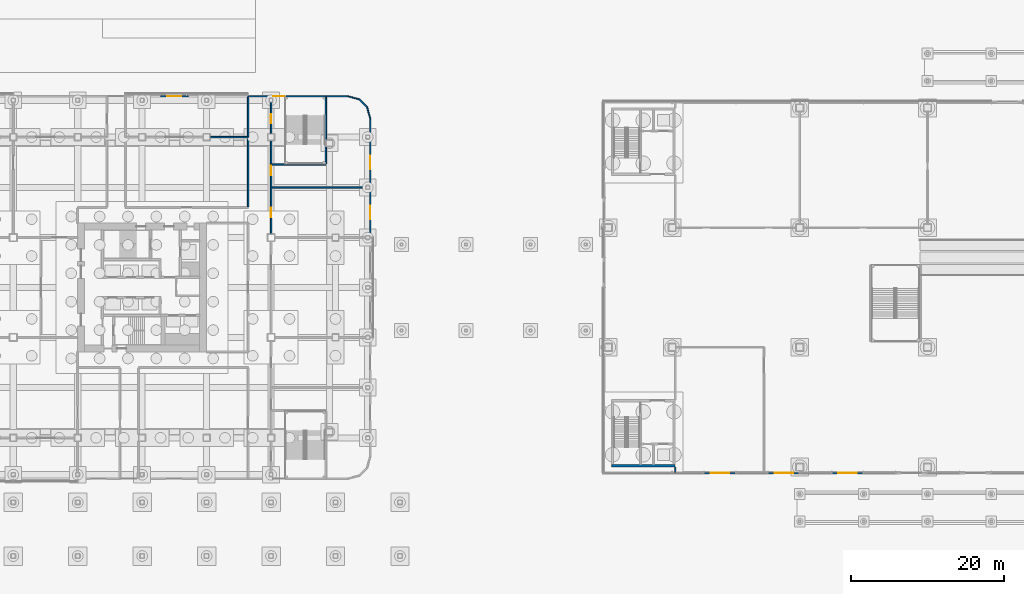
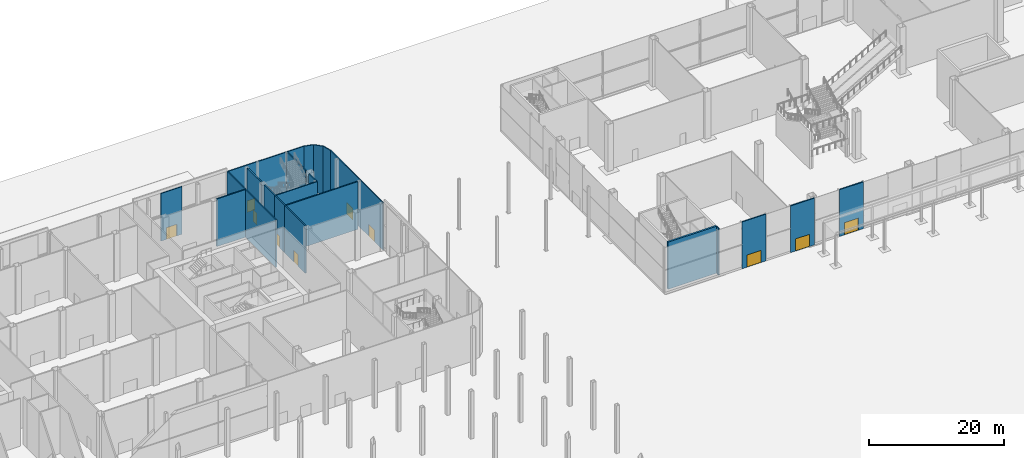
# One storey, part 43 of 113: 22 walls, 10 doors, 10 openings, 1 element without a shape of its own.
"""IFC4 building model written with IfcOpenShell, lengths in metres."""

import ifcopenshell
import ifcopenshell.guid

model = None  # the IFC model being written
_history = None  # IfcOwnerHistory: only IFC2X3 demands one
_inside = {}  # id of a spatial element -> (the spatial element, [elements in it])
_under = {}  # id of a project, library or spatial element -> (it, [spatial elements below it])
_declared = {}  # id of a project -> (the project, [libraries it declares])
_typed = {}  # id of a type object -> (the type object, [elements of that type])
_made_of = {}  # id of a material, layer set ... -> (it, [elements and type objects made of it])


def new_model(schema):
    """Start an empty IFC model of exactly this schema.

    Asked for "IFC4X3", IfcOpenShell would pick the latest addendum, in which some entities
    have other attributes; the version numbers below select the first issue.
    IFC2X3 requires an IfcOwnerHistory on every rooted entity: one is made here for all.
    """
    global model, _history
    if schema == "IFC4X3":
        model = ifcopenshell.file(schema_version=(4, 3, 0, 0))
    else:
        model = ifcopenshell.file(schema=schema)
    _inside.clear()
    _under.clear()
    _declared.clear()
    _typed.clear()
    _made_of.clear()
    _history = None
    if model.schema == "IFC2X3":
        org = make("IfcOrganization", Name="unknown")
        user = make(
            "IfcPersonAndOrganization",
            ThePerson=make("IfcPerson", FamilyName="unknown"),
            TheOrganization=org,
        )
        app = make(
            "IfcApplication",
            ApplicationDeveloper=org,
            Version="unknown",
            ApplicationFullName="unknown",
            ApplicationIdentifier="unknown",
        )
        _history = make(
            "IfcOwnerHistory",
            OwningUser=user,
            OwningApplication=app,
            ChangeAction="ADDED",
            CreationDate=0,
        )
    return model


def make(cls, **values):
    """One entity of the class cls with the attributes given. An attribute that is None is left unset."""
    return model.create_entity(
        cls, **{name: value for name, value in values.items() if value is not None}
    )


def rooted(cls, **values):
    """An entity with a GlobalId (a new one), such as an element, a storey or a relation."""
    return make(cls, GlobalId=ifcopenshell.guid.new(), OwnerHistory=_history, **values)


def si_unit(unit_type, name, prefix=None):
    """IfcSIUnit, for example si_unit("LENGTHUNIT", "METRE", prefix="MILLI")."""
    return make("IfcSIUnit", UnitType=unit_type, Prefix=prefix, Name=name)


def assignment(units):
    """IfcUnitAssignment: the units of a project."""
    return None if units is None else make("IfcUnitAssignment", Units=units)


def point(xyz):
    """IfcCartesianPoint."""
    return None if xyz is None else make("IfcCartesianPoint", Coordinates=xyz)


def direction(xyz):
    """IfcDirection."""
    return None if xyz is None else make("IfcDirection", DirectionRatios=xyz)


def frame(location, z_axis=None, x_axis=None):
    """IfcAxis2Placement3D, a coordinate frame: its origin and axes. An axis left out is left unset."""
    return make(
        "IfcAxis2Placement3D",
        Location=point(location),
        Axis=direction(z_axis),
        RefDirection=direction(x_axis),
    )


def frame_2d(location, x_axis=None):
    """IfcAxis2Placement2D, a coordinate frame in the plane: its origin and x axis."""
    return make(
        "IfcAxis2Placement2D", Location=point(location), RefDirection=direction(x_axis)
    )


def origin():
    """The frame at (0, 0, 0) with its axes left unset."""
    return frame((0.0, 0.0, 0.0))


def place(relative_to, where):
    """IfcLocalPlacement: puts the frame where relative to a parent placement (None: the world)."""
    return make(
        "IfcLocalPlacement", PlacementRelTo=relative_to, RelativePlacement=where
    )


def context(
    kind, dimensions, precision=None, world=None, true_north=None, identifier=None
):
    """IfcGeometricRepresentationContext, for example the 3D "Model" context."""
    return make(
        "IfcGeometricRepresentationContext",
        ContextIdentifier=identifier,
        ContextType=kind,
        CoordinateSpaceDimension=dimensions,
        Precision=precision,
        WorldCoordinateSystem=world,
        TrueNorth=true_north,
    )


def subcontext(parent, identifier, kind, view, scale=None):
    """IfcGeometricRepresentationSubContext, for example "Body" below "Model"."""
    return make(
        "IfcGeometricRepresentationSubContext",
        ContextIdentifier=identifier,
        ContextType=kind,
        ParentContext=parent,
        TargetScale=scale,
        TargetView=view,
    )


def project(units=None, contexts=None):
    """IfcProject with its units and contexts."""
    return rooted(
        "IfcProject",
        Name="project",
        RepresentationContexts=contexts,
        UnitsInContext=assignment(units),
    )


def spatial(cls, under=None, at=None, **own):
    """A site, building, storey or space (cls), placed at a placement, below another one or the project."""
    s = rooted(cls, ObjectPlacement=at, **own)
    if under is not None:
        _under.setdefault(under.id(), (under, []))[1].append(s)
    return s


def profile(cls, at=None, kind="AREA", **sizes):
    """A parametric profile (cls). Its sizes go by their IFC names, for example OverallWidth=200.0."""
    return make(cls, ProfileType=kind, Position=at, **sizes)


def rectangle(**sizes):
    """IfcRectangleProfileDef."""
    return profile("IfcRectangleProfileDef", **sizes)


def extrude(swept, where, along, depth):
    """IfcExtrudedAreaSolid: the profile swept, set in the frame where, extruded along a direction by depth."""
    return make(
        "IfcExtrudedAreaSolid",
        SweptArea=swept,
        Position=where,
        ExtrudedDirection=direction(along),
        Depth=depth,
    )


def shape(context_of_items, identifier, shape_type, items):
    """IfcShapeRepresentation: the items that make up one representation, for example the "Body"."""
    return make(
        "IfcShapeRepresentation",
        ContextOfItems=context_of_items,
        RepresentationIdentifier=identifier,
        RepresentationType=shape_type,
        Items=items,
    )


def material(Name=None, Category=None):
    """IfcMaterial."""
    return make("IfcMaterial", Name=Name, Category=Category)


def layer(
    of_material, thickness, ventilated=None, Name=None, Category=None, Priority=None
):
    """IfcMaterialLayer: one layer of a wall or slab, of a material (None: an air gap)."""
    return make(
        "IfcMaterialLayer",
        Material=of_material,
        LayerThickness=thickness,
        IsVentilated=ventilated,
        Name=Name,
        Category=Category,
        Priority=Priority,
    )


def layer_set(layers, Name=None):
    """IfcMaterialLayerSet."""
    return make("IfcMaterialLayerSet", MaterialLayers=layers, LayerSetName=Name)


def made_of(thing, what):
    """Note that an element or type object is made of a material, layer set ...; save() writes the relation."""
    if what is not None:
        _made_of.setdefault(what.id(), (what, []))[1].append(thing)
    return thing


def type_object(cls, material=None, **own):
    """A type object (cls), such as IfcWallType, which elements share."""
    return made_of(rooted(cls, **own), material)


def element(
    cls,
    number,
    at=None,
    inside=None,
    cuts=None,
    type_object=None,
    material=None,
    context=None,
    identifier="Body",
    shape_type=None,
    held_by="IfcProductDefinitionShape",
    body=None,
    shapes=None,
    **own,
):
    """One element of the class cls, such as IfcWall. Its Tag is "e" and its number.

    at: its placement. inside: the storey or other place that contains it. cuts: it is an
    opening in that element (IfcRelVoidsElement). A single representation is given by context,
    identifier, shape_type and body (its items); several are given by shapes. held_by: the class
    of the entity that holds the representations. save() writes the other relations.
    """
    e = rooted(cls, Tag="e%d" % number, ObjectPlacement=at, **own)
    if body is not None:
        shapes = [shape(context, identifier, shape_type, body)]
    if shapes is not None:
        e.Representation = make(held_by, Representations=shapes)
    if inside is not None:
        _inside.setdefault(inside.id(), (inside, []))[1].append(e)
    if cuts is not None:
        rooted(
            "IfcRelVoidsElement", RelatingBuildingElement=cuts, RelatedOpeningElement=e
        )
    if type_object is not None:
        _typed.setdefault(type_object.id(), (type_object, []))[1].append(e)
    return made_of(e, material)


def fill(opening, filler):
    """IfcRelFillsElement: the door or window that sits in an opening."""
    return rooted(
        "IfcRelFillsElement",
        RelatingOpeningElement=opening,
        RelatedBuildingElement=filler,
    )


def aggregate(whole, parts):
    """IfcRelAggregates: a whole, such as a stair, and the parts it consists of."""
    return rooted("IfcRelAggregates", RelatingObject=whole, RelatedObjects=parts)


def save(model, path):
    """Write the relations noted so far, then the file.

    IfcRelAggregates (storeys below a building ...), IfcRelContainedInSpatialStructure (elements
    in a storey), IfcRelDefinesByType, IfcRelAssociatesMaterial and IfcRelDeclares: one each for
    every whole, place, type object, material and project.
    """
    for whole, parts in _under.values():
        aggregate(whole, parts)
    for where, things in _inside.values():
        rooted(
            "IfcRelContainedInSpatialStructure",
            RelatedElements=things,
            RelatingStructure=where,
        )
    for kind, things in _typed.values():
        rooted("IfcRelDefinesByType", RelatedObjects=things, RelatingType=kind)
    for what, things in _made_of.values():
        rooted("IfcRelAssociatesMaterial", RelatedObjects=things, RelatingMaterial=what)
    for by, libraries in _declared.values():
        rooted("IfcRelDeclares", RelatingContext=by, RelatedDefinitions=libraries)
    model.write(path)


model = new_model("IFC4")

# Units and contexts
model_context = context("Model", 3, precision=1e-05, world=origin(), true_north=direction((0.0, 1.0)))
body_context = subcontext(model_context, "Body", "Model", "MODEL_VIEW")
ifc_project = project(units=[si_unit("LENGTHUNIT", "METRE"), si_unit("AREAUNIT", "SQUARE_METRE"), si_unit("VOLUMEUNIT", "CUBIC_METRE"), si_unit("PLANEANGLEUNIT", "RADIAN"), si_unit("MASSUNIT", "GRAM", prefix="KILO")], contexts=[model_context])

# Site, building, storey
site_placement = place(None, origin())
site = spatial("IfcSite", under=ifc_project, at=site_placement, CompositionType="ELEMENT")
building_placement = place(site_placement, origin())
building = spatial("IfcBuilding", under=site, at=building_placement, Name="Hakoniwa Tower and Hamabe Station Hall", CompositionType="ELEMENT")
storey_placement = place(building_placement, origin())
storey = spatial("IfcBuildingStorey", under=building, at=storey_placement, Name="L01", CompositionType="ELEMENT", Elevation=0.0)

# Curtain wall, walls, openings, doors
ifc_material_1 = material(Name="Dark low-e laminated glass", Category="glass")
ifc_layer_1 = layer(ifc_material_1, 0.199951171875)
ifc_layer_set_1 = layer_set([ifc_layer_1], Name="CW-7 STATION")
curtain_wall_type = type_object("IfcCurtainWallType", Name="CW-7 STATION", PredefinedType="NOTDEFINED", material=ifc_layer_set_1)
curtain_wall_placement = place(storey_placement, origin())
curtain_wall = element("IfcCurtainWall", 1, at=curtain_wall_placement, inside=storey, type_object=curtain_wall_type, Name="Station curtain wall L01 south", PredefinedType="NOTDEFINED")
ifc_material_2 = material(Name="Dark glass-faced aluminium panel", Category="aluminium")
ifc_layer_2 = layer(ifc_material_2, 0.199951171875)
ifc_layer_set_2 = layer_set([ifc_layer_2], Name="DOOR BAY WALL")
wall_type_1 = type_object("IfcWallType", Name="DOOR BAY WALL", PredefinedType="NOTDEFINED", material=ifc_layer_set_2)
wall_1_placement = place(storey_placement, frame((98.4599609375, -24.199951171875, 0.0), z_axis=(0.0, 0.0, 1.0), x_axis=(1.0, 0.0, 0.0)))
wall_1 = element("IfcWall", 2, at=wall_1_placement, type_object=wall_type_1, Name="Door bay wall", PredefinedType="NOTDEFINED", context=body_context, shape_type="SweptSolid", body=[
    extrude(rectangle(XDim=4.10009765625, YDim=0.199951171875, at=frame_2d((2.050048828125, 0.0))), origin(), (0.0, 0.0, 1.0), 8.449951171875),
])
opening_1_placement = place(wall_1_placement, frame((0.85009765625, 0.0, 0.0)))
opening_1 = element("IfcOpeningElement", 3, at=opening_1_placement, cuts=wall_1, Name="Opening ED-SH-S-01", PredefinedType="OPENING", context=body_context, shape_type="SweptSolid", body=[
    extrude(rectangle(XDim=2.39990234375, YDim=2.199951171875, at=frame_2d((1.199951171875, 1.10009765625))), frame((0.0, 0.10986328125, 0.0), z_axis=(0.0, -1.0, 0.0), x_axis=(1.0, 0.0, 0.0)), (0.0, 0.0, 1.0), 0.219970703125),
])
ifc_material_3 = material(Name="Dark low-e laminated glass", Category="glass")
door_type_1 = type_object("IfcDoorType", Name="BALCONY SLIDING DOOR 2400X2200", OperationType="SLIDING_TO_LEFT", PredefinedType="DOOR", material=ifc_material_3)
door_1_placement = place(opening_1_placement, frame((2.39990234375, 0.0, 0.0), z_axis=(0.0, 0.0, 1.0), x_axis=(-1.0, 0.0, 0.0)))
door_1 = element("IfcDoor", 4, at=door_1_placement, inside=storey, type_object=door_type_1, Name="Entrance door", OperationType="SLIDING_TO_LEFT", OverallHeight=2.199951171875, OverallWidth=2.39990234375, PredefinedType="DOOR", context=body_context, shape_type="SweptSolid", body=[
    extrude(rectangle(XDim=2.39990234375, YDim=2.199951171875, at=frame_2d((1.199951171875, 1.10009765625))), frame((0.0, 0.02490234375, 0.0), z_axis=(0.0, -1.0, 0.0), x_axis=(1.0, 0.0, 0.0)), (0.0, 0.0, 1.0), 0.050048828125),
])
fill(opening_1, door_1)
wall_2_placement = place(storey_placement, frame((106.780029296875, -24.199951171875, 0.0), z_axis=(0.0, 0.0, 1.0), x_axis=(1.0, 0.0, 0.0)))
wall_2 = element("IfcWall", 5, at=wall_2_placement, type_object=wall_type_1, Name="Door bay wall", PredefinedType="NOTDEFINED", context=body_context, shape_type="SweptSolid", body=[
    extrude(rectangle(XDim=4.099853515625, YDim=0.199951171875, at=frame_2d((2.0498046875, 0.0))), origin(), (0.0, 0.0, 1.0), 8.449951171875),
])
opening_2_placement = place(wall_2_placement, frame((0.85009765625, 0.0, 0.0)))
opening_2 = element("IfcOpeningElement", 6, at=opening_2_placement, cuts=wall_2, Name="Opening ED-SH-S-02", PredefinedType="OPENING", context=body_context, shape_type="SweptSolid", body=[
    extrude(rectangle(XDim=2.39990234375, YDim=2.199951171875, at=frame_2d((1.199951171875, 1.10009765625))), frame((0.0, 0.10986328125, 0.0), z_axis=(0.0, -1.0, 0.0), x_axis=(1.0, 0.0, 0.0)), (0.0, 0.0, 1.0), 0.219970703125),
])
door_2_placement = place(opening_2_placement, frame((2.39990234375, 0.0, 0.0), z_axis=(0.0, 0.0, 1.0), x_axis=(-1.0, 0.0, 0.0)))
door_2 = element("IfcDoor", 7, at=door_2_placement, inside=storey, type_object=door_type_1, Name="Entrance door", OperationType="SLIDING_TO_LEFT", OverallHeight=2.199951171875, OverallWidth=2.39990234375, PredefinedType="DOOR", context=body_context, shape_type="SweptSolid", body=[
    extrude(rectangle(XDim=2.39990234375, YDim=2.199951171875, at=frame_2d((1.199951171875, 1.10009765625))), frame((0.0, 0.02490234375, 0.0), z_axis=(0.0, -1.0, 0.0), x_axis=(1.0, 0.0, 0.0)), (0.0, 0.0, 1.0), 0.050048828125),
])
fill(opening_2, door_2)
wall_3_placement = place(storey_placement, frame((115.10009765625, -24.199951171875, 0.0), z_axis=(0.0, 0.0, 1.0), x_axis=(1.0, 0.0, 0.0)))
wall_3 = element("IfcWall", 8, at=wall_3_placement, type_object=wall_type_1, Name="Door bay wall", PredefinedType="NOTDEFINED", context=body_context, shape_type="SweptSolid", body=[
    extrude(rectangle(XDim=4.099853515625, YDim=0.199951171875, at=frame_2d((2.0498046875, 0.0))), origin(), (0.0, 0.0, 1.0), 8.449951171875),
])
opening_3_placement = place(wall_3_placement, frame((0.85009765625, 0.0, 0.0)))
opening_3 = element("IfcOpeningElement", 9, at=opening_3_placement, cuts=wall_3, Name="Opening ED-SH-S-03", PredefinedType="OPENING", context=body_context, shape_type="SweptSolid", body=[
    extrude(rectangle(XDim=2.39990234375, YDim=2.199951171875, at=frame_2d((1.199951171875, 1.10009765625))), frame((0.0, 0.10986328125, 0.0), z_axis=(0.0, -1.0, 0.0), x_axis=(1.0, 0.0, 0.0)), (0.0, 0.0, 1.0), 0.219970703125),
])
door_3_placement = place(opening_3_placement, frame((2.39990234375, 0.0, 0.0), z_axis=(0.0, 0.0, 1.0), x_axis=(-1.0, 0.0, 0.0)))
door_3 = element("IfcDoor", 10, at=door_3_placement, inside=storey, type_object=door_type_1, Name="Entrance door", OperationType="SLIDING_TO_LEFT", OverallHeight=2.199951171875, OverallWidth=2.39990234375, PredefinedType="DOOR", context=body_context, shape_type="SweptSolid", body=[
    extrude(rectangle(XDim=2.39990234375, YDim=2.199951171875, at=frame_2d((1.199951171875, 1.10009765625))), frame((0.0, 0.02490234375, 0.0), z_axis=(0.0, -1.0, 0.0), x_axis=(1.0, 0.0, 0.0)), (0.0, 0.0, 1.0), 0.050048828125),
])
fill(opening_3, door_3)
aggregate(curtain_wall, [wall_1, wall_2, wall_3])

# Wall, opening, door
ifc_material_4 = material(Name="Dark glass-faced aluminium panel", Category="aluminium")
ifc_layer_3 = layer(ifc_material_4, 0.14990234375)
ifc_layer_set_3 = layer_set([ifc_layer_3], Name="EXTERNAL WALL 150 EI 60")
wall_type_2 = type_object("IfcWallType", Name="EXTERNAL WALL 150 EI 60", PredefinedType="STANDARD", material=ifc_layer_set_3)
wall_4_placement = place(storey_placement, frame((27.60009765625, 24.925048828125, 0.0), z_axis=(0.0, 0.0, 1.0), x_axis=(1.0, 0.0, 0.0)))
wall_4 = element("IfcWall", 11, at=wall_4_placement, inside=storey, type_object=wall_type_2, Name="External wall L01 12-7", PredefinedType="STANDARD", context=body_context, shape_type="SweptSolid", body=[
    extrude(rectangle(XDim=3.599853515625, YDim=0.14990234375, at=frame_2d((1.7998046875, 0.0))), origin(), (0.0, 0.0, 1.0), 8.60009765625),
])
opening_4_placement = place(wall_4_placement, frame((0.89990234375, 0.0, 0.0)))
opening_4 = element("IfcOpeningElement", 12, at=opening_4_placement, cuts=wall_4, Name="Opening ED-N-04", PredefinedType="OPENING", context=body_context, shape_type="SweptSolid", body=[
    extrude(rectangle(XDim=1.800048828125, YDim=2.10009765625, at=frame_2d((0.89990234375, 1.050048828125))), frame((0.0, 0.0849609375, 0.0), z_axis=(0.0, -1.0, 0.0), x_axis=(1.0, 0.0, 0.0)), (0.0, 0.0, 1.0), 0.169921875),
])
ifc_material_5 = material(Name="Glazed aluminium door", Category="aluminium")
door_type_2 = type_object("IfcDoorType", Name="DOUBLE GLAZED DOOR 1800X2100", OperationType="DOUBLE_DOOR_DOUBLE_SWING", PredefinedType="DOOR", material=ifc_material_5)
door_4_placement = place(opening_4_placement, origin())
door_4 = element("IfcDoor", 13, at=door_4_placement, inside=storey, type_object=door_type_2, Name="Entrance door", OperationType="DOUBLE_DOOR_DOUBLE_SWING", OverallHeight=2.10009765625, OverallWidth=1.800048828125, PredefinedType="DOOR", context=body_context, shape_type="SweptSolid", body=[
    extrude(rectangle(XDim=1.800048828125, YDim=2.10009765625, at=frame_2d((0.89990234375, 1.050048828125))), frame((0.0, 0.02490234375, 0.0), z_axis=(0.0, -1.0, 0.0), x_axis=(1.0, 0.0, 0.0)), (0.0, 0.0, 1.0), 0.050048828125),
])
fill(opening_4, door_4)

wall_5_placement = place(storey_placement, frame((39.0, 24.925048828125, 0.0), z_axis=(0.0, 0.0, 1.0), x_axis=(1.0, 0.0, 0.0)))
wall_5 = element("IfcWall", 14, at=wall_5_placement, inside=storey, type_object=wall_type_2, Name="External wall L01 12-8", PredefinedType="STANDARD", context=body_context, shape_type="SweptSolid", body=[
    extrude(rectangle(XDim=12.980224609375, YDim=0.14990234375, at=frame_2d((6.490234375, 0.0))), origin(), (0.0, 0.0, 1.0), 8.60009765625),
])
opening_5_placement = place(wall_5_placement, frame((3.300048828125, 0.0, 0.0)))
opening_5 = element("IfcOpeningElement", 15, at=opening_5_placement, cuts=wall_5, Name="Opening ED-N-06", PredefinedType="OPENING", context=body_context, shape_type="SweptSolid", body=[
    extrude(rectangle(XDim=1.39990234375, YDim=2.10009765625, at=frame_2d((0.699951171875, 1.050048828125))), frame((0.0, 0.0849609375, 0.0), z_axis=(0.0, -1.0, 0.0), x_axis=(1.0, 0.0, 0.0)), (0.0, 0.0, 1.0), 0.169921875),
])
ifc_material_6 = material(Name="Timber door leaf", Category="wood")
door_type_3 = type_object("IfcDoorType", Name="DOUBLE DOOR 1400X2100", OperationType="DOUBLE_DOOR_SINGLE_SWING", PredefinedType="DOOR", material=ifc_material_6)
door_5_placement = place(opening_5_placement, origin())
door_5 = element("IfcDoor", 16, at=door_5_placement, inside=storey, type_object=door_type_3, Name="Entrance door", OperationType="DOUBLE_DOOR_SINGLE_SWING", OverallHeight=2.10009765625, OverallWidth=1.39990234375, PredefinedType="DOOR", context=body_context, shape_type="SweptSolid", body=[
    extrude(rectangle(XDim=1.39990234375, YDim=2.10009765625, at=frame_2d((0.699951171875, 1.050048828125))), frame((0.0, 0.02490234375, 0.0), z_axis=(0.0, -1.0, 0.0), x_axis=(1.0, 0.0, 0.0)), (0.0, 0.0, 1.0), 0.050048828125),
])
fill(opening_5, door_5)

# Walls
wall_6_placement = place(storey_placement, frame((51.999755859375, 24.92236328125, 0.0), z_axis=(0.0, 0.0, 1.0), x_axis=(0.965946591624, -0.258741535379, 0.0)))
element("IfcWall", 17, at=wall_6_placement, inside=storey, type_object=wall_type_2, Name="External wall L01 13-1", PredefinedType="STANDARD", context=body_context, shape_type="SweptSolid", body=[
    extrude(rectangle(XDim=1.49267578125, YDim=0.14990234375, at=frame_2d((0.746337890625, 0.0))), origin(), (0.0, 0.0, 1.0), 8.60009765625),
])
wall_7_placement = place(storey_placement, frame((53.475341796875, 24.5166015625, 0.0), z_axis=(0.0, 0.0, 1.0), x_axis=(0.707106781187, -0.707106781187, 0.0)))
element("IfcWall", 18, at=wall_7_placement, inside=storey, type_object=wall_type_2, Name="External wall L01 14-1", PredefinedType="STANDARD", context=body_context, shape_type="SweptSolid", body=[
    extrude(rectangle(XDim=1.47265625, YDim=0.14990234375, at=frame_2d((0.736328125, 0.0))), origin(), (0.0, 0.0, 1.0), 8.60009765625),
])
wall_8_placement = place(storey_placement, frame((54.5361328125, 23.441650390625, 0.0), z_axis=(0.0, 0.0, 1.0), x_axis=(0.258741535379, -0.965946591624, 0.0)))
element("IfcWall", 19, at=wall_8_placement, inside=storey, type_object=wall_type_2, Name="External wall L01 15-1", PredefinedType="STANDARD", context=body_context, shape_type="SweptSolid", body=[
    extrude(rectangle(XDim=1.49267578125, YDim=0.14990234375, at=frame_2d((0.746337890625, 0.0))), origin(), (0.0, 0.0, 1.0), 8.60009765625),
])

# Wall, openings, doors
wall_9_placement = place(storey_placement, frame((54.925048828125, 21.980224609375, 0.0), z_axis=(0.0, 0.0, 1.0), x_axis=(0.0, -1.0, 0.0)))
wall_9 = element("IfcWall", 20, at=wall_9_placement, inside=storey, type_object=wall_type_2, Name="External wall L01 16-1", PredefinedType="STANDARD", context=body_context, shape_type="SweptSolid", body=[
    extrude(rectangle(XDim=15.480224609375, YDim=0.14990234375, at=frame_2d((7.740234375, 0.0))), origin(), (0.0, 0.0, 1.0), 8.60009765625),
])
opening_6_placement = place(wall_9_placement, frame((4.7802734375, 0.0, 0.0)))
opening_6 = element("IfcOpeningElement", 21, at=opening_6_placement, cuts=wall_9, Name="Opening ED-E-01", PredefinedType="OPENING", context=body_context, shape_type="SweptSolid", body=[
    extrude(rectangle(XDim=1.800048828125, YDim=2.10009765625, at=frame_2d((0.89990234375, 1.050048828125))), frame((0.0, 0.0849609375, 0.0), z_axis=(0.0, -1.0, 0.0), x_axis=(1.0, 0.0, 0.0)), (0.0, 0.0, 1.0), 0.169921875),
])
opening_7_placement = place(wall_9_placement, frame((11.30517578125, 0.0, 0.0)))
opening_7 = element("IfcOpeningElement", 22, at=opening_7_placement, cuts=wall_9, Name="Opening ED-E-02", PredefinedType="OPENING", context=body_context, shape_type="SweptSolid", body=[
    extrude(rectangle(XDim=1.800048828125, YDim=2.10009765625, at=frame_2d((0.89990234375, 1.050048828125))), frame((0.0, 0.0849609375, 0.0), z_axis=(0.0, -1.0, 0.0), x_axis=(1.0, 0.0, 0.0)), (0.0, 0.0, 1.0), 0.169921875),
])
door_6_placement = place(opening_6_placement, origin())
door_6 = element("IfcDoor", 23, at=door_6_placement, inside=storey, type_object=door_type_2, Name="Entrance door", OperationType="DOUBLE_DOOR_DOUBLE_SWING", OverallHeight=2.10009765625, OverallWidth=1.800048828125, PredefinedType="DOOR", context=body_context, shape_type="SweptSolid", body=[
    extrude(rectangle(XDim=1.800048828125, YDim=2.10009765625, at=frame_2d((0.89990234375, 1.050048828125))), frame((0.0, 0.02490234375, 0.0), z_axis=(0.0, -1.0, 0.0), x_axis=(1.0, 0.0, 0.0)), (0.0, 0.0, 1.0), 0.050048828125),
])
fill(opening_6, door_6)
door_7_placement = place(opening_7_placement, origin())
door_7 = element("IfcDoor", 24, at=door_7_placement, inside=storey, type_object=door_type_2, Name="Entrance door", OperationType="DOUBLE_DOOR_DOUBLE_SWING", OverallHeight=2.10009765625, OverallWidth=1.800048828125, PredefinedType="DOOR", context=body_context, shape_type="SweptSolid", body=[
    extrude(rectangle(XDim=1.800048828125, YDim=2.10009765625, at=frame_2d((0.89990234375, 1.050048828125))), frame((0.0, 0.02490234375, 0.0), z_axis=(0.0, -1.0, 0.0), x_axis=(1.0, 0.0, 0.0)), (0.0, 0.0, 1.0), 0.050048828125),
])
fill(opening_7, door_7)

# Walls
ifc_material_7 = material(Name="Fire-rated gypsum board partition")
ifc_layer_4 = layer(ifc_material_7, 0.14990234375)
ifc_layer_set_4 = layer_set([ifc_layer_4], Name="FIRE PARTITION 150 EI 60")
wall_type_3 = type_object("IfcWallType", Name="FIRE PARTITION 150 EI 60", PredefinedType="PARTITIONING", material=ifc_layer_set_4)
wall_10_placement = place(storey_placement, frame((94.669921875, -24.10009765625, 0.0), z_axis=(0.0, 0.0, 1.0), x_axis=(0.0, 1.0, 0.0)))
element("IfcWall", 25, at=wall_10_placement, inside=storey, type_object=wall_type_3, Name="Partition L01 7", PredefinedType="PARTITIONING", context=body_context, shape_type="SweptSolid", body=[
    extrude(rectangle(XDim=0.7001953125, YDim=0.14990234375, at=frame_2d((0.35009765625, 0.0))), origin(), (0.0, 0.0, 1.0), 8.5),
])
ifc_material_8 = material(Name="Fire-rated gypsum board partition")
ifc_layer_5 = layer(ifc_material_8, 0.199951171875)
ifc_layer_set_5 = layer_set([ifc_layer_5], Name="FIRE PARTITION 200 EI 60")
wall_type_4 = type_object("IfcWallType", Name="FIRE PARTITION 200 EI 60", PredefinedType="PARTITIONING", material=ifc_layer_set_5)
wall_11_placement = place(storey_placement, frame((39.0, 10.5, 0.0), z_axis=(0.0, 0.0, 1.0), x_axis=(0.0, 1.0, 0.0)))
element("IfcWall", 26, at=wall_11_placement, inside=storey, type_object=wall_type_4, Name="Wall East Service Corridor / Umi Restaurant", PredefinedType="PARTITIONING", context=body_context, shape_type="SweptSolid", body=[
    extrude(rectangle(XDim=9.10009765625, YDim=0.199951171875, at=frame_2d((4.550048828125, 0.0))), origin(), (0.0, 0.0, 1.0), 8.60009765625),
])
wall_12_placement = place(storey_placement, frame((39.0, 19.60009765625, 0.0), z_axis=(0.0, 0.0, 1.0), x_axis=(0.0, 1.0, 0.0)))
element("IfcWall", 27, at=wall_12_placement, inside=storey, type_object=wall_type_4, Name="Wall East Service Corridor / Umi Entrance Gallery", PredefinedType="PARTITIONING", context=body_context, shape_type="SweptSolid", body=[
    extrude(rectangle(XDim=5.25, YDim=0.199951171875, at=frame_2d((2.625, 0.0))), origin(), (0.0, 0.0, 1.0), 8.60009765625),
])

# Wall, opening, door
wall_13_placement = place(storey_placement, frame((42.0, 16.050048828125, 0.0), z_axis=(0.0, 0.0, 1.0), x_axis=(0.0, -1.0, 0.0)))
wall_13 = element("IfcWall", 28, at=wall_13_placement, inside=storey, type_object=wall_type_4, Name="Wall East Service Corridor / Retail Unit 1", PredefinedType="PARTITIONING", context=body_context, shape_type="SweptSolid", body=[
    extrude(rectangle(XDim=3.0, YDim=0.199951171875, at=frame_2d((1.5, 0.0))), origin(), (0.0, 0.0, 1.0), 8.60009765625),
])
opening_8_placement = place(wall_13_placement, frame((0.199951171875, 0.0, 0.0)))
opening_8 = element("IfcOpeningElement", 29, at=opening_8_placement, cuts=wall_13, Name="Opening PD-L01-044", PredefinedType="OPENING", context=body_context, shape_type="SweptSolid", body=[
    extrude(rectangle(XDim=1.199951171875, YDim=2.10009765625, at=frame_2d((0.60009765625, 1.050048828125))), frame((0.0, 0.10986328125, 0.0), z_axis=(0.0, -1.0, 0.0), x_axis=(1.0, 0.0, 0.0)), (0.0, 0.0, 1.0), 0.219970703125),
])
ifc_material_9 = material(Name="Steel fire door", Category="steel")
door_type_4 = type_object("IfcDoorType", Name="FIRE DOOR 1200X2100 FD60", OperationType="SINGLE_SWING_LEFT", PredefinedType="DOOR", material=ifc_material_9)
door_8_placement = place(opening_8_placement, origin())
door_8 = element("IfcDoor", 30, at=door_8_placement, inside=storey, type_object=door_type_4, Name="Door PD-L01-044", OperationType="SINGLE_SWING_RIGHT", OverallHeight=2.10009765625, OverallWidth=1.199951171875, PredefinedType="DOOR", context=body_context, shape_type="SweptSolid", body=[
    extrude(rectangle(XDim=1.199951171875, YDim=2.10009765625, at=frame_2d((0.60009765625, 1.050048828125))), frame((0.0, 0.02490234375, 0.0), z_axis=(0.0, -1.0, 0.0), x_axis=(1.0, 0.0, 0.0)), (0.0, 0.0, 1.0), 0.050048828125),
])
fill(opening_8, door_8)

wall_14_placement = place(storey_placement, frame((42.0, 13.050048828125, 0.0), z_axis=(0.0, 0.0, 1.0), x_axis=(0.0, -1.0, 0.0)))
wall_14 = element("IfcWall", 31, at=wall_14_placement, inside=storey, type_object=wall_type_4, Name="Wall East Service Corridor / Retail Unit 2", PredefinedType="PARTITIONING", context=body_context, shape_type="SweptSolid", body=[
    extrude(rectangle(XDim=6.050048828125, YDim=0.199951171875, at=frame_2d((3.02490234375, 0.0))), origin(), (0.0, 0.0, 1.0), 8.60009765625),
])
opening_9_placement = place(wall_14_placement, frame((2.675048828125, 0.0, 0.0)))
opening_9 = element("IfcOpeningElement", 32, at=opening_9_placement, cuts=wall_14, Name="Opening PD-L01-045", PredefinedType="OPENING", context=body_context, shape_type="SweptSolid", body=[
    extrude(rectangle(XDim=1.199951171875, YDim=2.10009765625, at=frame_2d((0.60009765625, 1.050048828125))), frame((0.0, 0.10986328125, 0.0), z_axis=(0.0, -1.0, 0.0), x_axis=(1.0, 0.0, 0.0)), (0.0, 0.0, 1.0), 0.219970703125),
])
door_9_placement = place(opening_9_placement, origin())
door_9 = element("IfcDoor", 33, at=door_9_placement, inside=storey, type_object=door_type_4, Name="Door PD-L01-045", OperationType="SINGLE_SWING_LEFT", OverallHeight=2.10009765625, OverallWidth=1.199951171875, PredefinedType="DOOR", context=body_context, shape_type="SweptSolid", body=[
    extrude(rectangle(XDim=1.199951171875, YDim=2.10009765625, at=frame_2d((0.60009765625, 1.050048828125))), frame((0.0, 0.02490234375, 0.0), z_axis=(0.0, -1.0, 0.0), x_axis=(1.0, 0.0, 0.0)), (0.0, 0.0, 1.0), 0.050048828125),
])
fill(opening_9, door_9)

# Walls
wall_15_placement = place(storey_placement, frame((34.050048828125, 19.60009765625, 0.0), z_axis=(0.0, 0.0, 1.0), x_axis=(1.0, 0.0, 0.0)))
element("IfcWall", 34, at=wall_15_placement, inside=storey, type_object=wall_type_4, Name="Wall Umi Restaurant / Umi Entrance Gallery", PredefinedType="PARTITIONING", context=body_context, shape_type="SweptSolid", body=[
    extrude(rectangle(XDim=4.849853515625, YDim=0.199951171875, at=frame_2d((2.4248046875, 0.0))), origin(), (0.0, 0.0, 1.0), 8.60009765625),
])
wall_16_placement = place(storey_placement, frame((54.35009765625, 13.050048828125, 0.0), z_axis=(0.0, 0.0, 1.0), x_axis=(-1.0, 0.0, 0.0)))
element("IfcWall", 35, at=wall_16_placement, inside=storey, type_object=wall_type_4, Name="Wall Retail Unit 1 / Retail Unit 2", PredefinedType="PARTITIONING", context=body_context, shape_type="SweptSolid", body=[
    extrude(rectangle(XDim=12.25, YDim=0.199951171875, at=frame_2d((6.125, 0.0))), origin(), (0.0, 0.0, 1.0), 8.60009765625),
])
ifc_material_10 = material(Name="Concrete C40", Category="concrete")
ifc_layer_6 = layer(ifc_material_10, 0.199951171875)
ifc_layer_set_6 = layer_set([ifc_layer_6], Name="RC WALL 200 EI 60 C40")
wall_type_5 = type_object("IfcWallType", Name="RC WALL 200 EI 60 C40", PredefinedType="SHEAR", material=ifc_layer_set_6)
wall_17_placement = place(storey_placement, frame((42.0, 16.050048828125, 0.0), z_axis=(0.0, 0.0, 1.0), x_axis=(0.0, 1.0, 0.0)))
element("IfcWall", 36, at=wall_17_placement, inside=storey, type_object=wall_type_5, Name="Wall Escape Stair PS2 / East Service Corridor", PredefinedType="SHEAR", context=body_context, shape_type="SweptSolid", body=[
    extrude(rectangle(XDim=3.099853515625, YDim=0.199951171875, at=frame_2d((1.5498046875, 0.0))), origin(), (0.0, 0.0, 1.0), 8.60009765625),
])

# Wall, opening, door
wall_18_placement = place(storey_placement, frame((42.0, 20.050048828125, 0.0), z_axis=(0.0, 0.0, 1.0), x_axis=(0.0, 1.0, 0.0)))
wall_18 = element("IfcWall", 37, at=wall_18_placement, inside=storey, type_object=wall_type_5, Name="Wall Escape Stair PS2 / East Service Corridor", PredefinedType="SHEAR", context=body_context, shape_type="SweptSolid", body=[
    extrude(rectangle(XDim=4.099853515625, YDim=0.199951171875, at=frame_2d((2.0498046875, 0.0))), origin(), (0.0, 0.0, 1.0), 8.60009765625),
])
opening_10_placement = place(wall_18_placement, frame((1.35009765625, 0.0, 0.0)))
opening_10 = element("IfcOpeningElement", 38, at=opening_10_placement, cuts=wall_18, Name="Opening PD-L01-038", PredefinedType="OPENING", context=body_context, shape_type="SweptSolid", body=[
    extrude(rectangle(XDim=1.199951171875, YDim=2.10009765625, at=frame_2d((0.60009765625, 1.050048828125))), frame((0.0, 0.10986328125, 0.0), z_axis=(0.0, -1.0, 0.0), x_axis=(1.0, 0.0, 0.0)), (0.0, 0.0, 1.0), 0.219970703125),
])
door_10_placement = place(opening_10_placement, origin())
door_10 = element("IfcDoor", 39, at=door_10_placement, inside=storey, type_object=door_type_4, Name="Escape stair door PS2", OperationType="SINGLE_SWING_RIGHT", OverallHeight=2.10009765625, OverallWidth=1.199951171875, PredefinedType="DOOR", context=body_context, shape_type="SweptSolid", body=[
    extrude(rectangle(XDim=1.199951171875, YDim=2.10009765625, at=frame_2d((0.60009765625, 1.050048828125))), frame((0.0, 0.02490234375, 0.0), z_axis=(0.0, -1.0, 0.0), x_axis=(1.0, 0.0, 0.0)), (0.0, 0.0, 1.0), 0.050048828125),
])
fill(opening_10, door_10)

# Walls
wall_19_placement = place(storey_placement, frame((49.14990234375, 16.050048828125, 0.0), z_axis=(0.0, 0.0, 1.0), x_axis=(-1.0, 0.0, 0.0)))
element("IfcWall", 40, at=wall_19_placement, inside=storey, type_object=wall_type_5, Name="Wall Escape Stair PS2 / Retail Unit 1", PredefinedType="SHEAR", context=body_context, shape_type="SweptSolid", body=[
    extrude(rectangle(XDim=7.0498046875, YDim=0.199951171875, at=frame_2d((3.52490234375, 0.0))), origin(), (0.0, 0.0, 1.0), 8.60009765625),
])
wall_20_placement = place(storey_placement, frame((49.14990234375, 24.85009765625, 0.0), z_axis=(0.0, 0.0, 1.0), x_axis=(0.0, -1.0, 0.0)))
element("IfcWall", 41, at=wall_20_placement, inside=storey, type_object=wall_type_5, Name="Wall Escape Stair PS2 / Retail Unit 1", PredefinedType="SHEAR", context=body_context, shape_type="SweptSolid", body=[
    extrude(rectangle(XDim=5.596923828125, YDim=0.199951171875, at=frame_2d((2.79833984375, 0.0))), origin(), (0.0, 0.0, 1.0), 8.60009765625),
])
wall_21_placement = place(storey_placement, frame((49.14990234375, 18.35302734375, 0.0), z_axis=(0.0, 0.0, 1.0), x_axis=(0.0, -1.0, 0.0)))
element("IfcWall", 42, at=wall_21_placement, inside=storey, type_object=wall_type_5, Name="Wall Escape Stair PS2 / Retail Unit 1", PredefinedType="SHEAR", context=body_context, shape_type="SweptSolid", body=[
    extrude(rectangle(XDim=2.203125, YDim=0.199951171875, at=frame_2d((1.1015625, 0.0))), origin(), (0.0, 0.0, 1.0), 8.60009765625),
])
ifc_material_11 = material(Name="Concrete C60", Category="concrete")
ifc_layer_7 = layer(ifc_material_11, 0.300048828125)
ifc_layer_set_7 = layer_set([ifc_layer_7], Name="RC WALL 300 EI 120 C60")
wall_type_6 = type_object("IfcWallType", Name="RC WALL 300 EI 120 C60", PredefinedType="SHEAR", material=ifc_layer_set_7)
wall_22_placement = place(storey_placement, frame((86.35009765625, -23.25, 0.0), z_axis=(0.0, 0.0, 1.0), x_axis=(1.0, 0.0, 0.0)))
element("IfcWall", 43, at=wall_22_placement, inside=storey, type_object=wall_type_6, Name="Station core wall SC3 outer-v L01", PredefinedType="SHEAR", context=body_context, shape_type="SweptSolid", body=[
    extrude(rectangle(XDim=8.31982421875, YDim=0.300048828125, at=frame_2d((4.159912109375, 0.0))), origin(), (0.0, 0.0, 1.0), 8.5),
])

save(model, "model.ifc")
